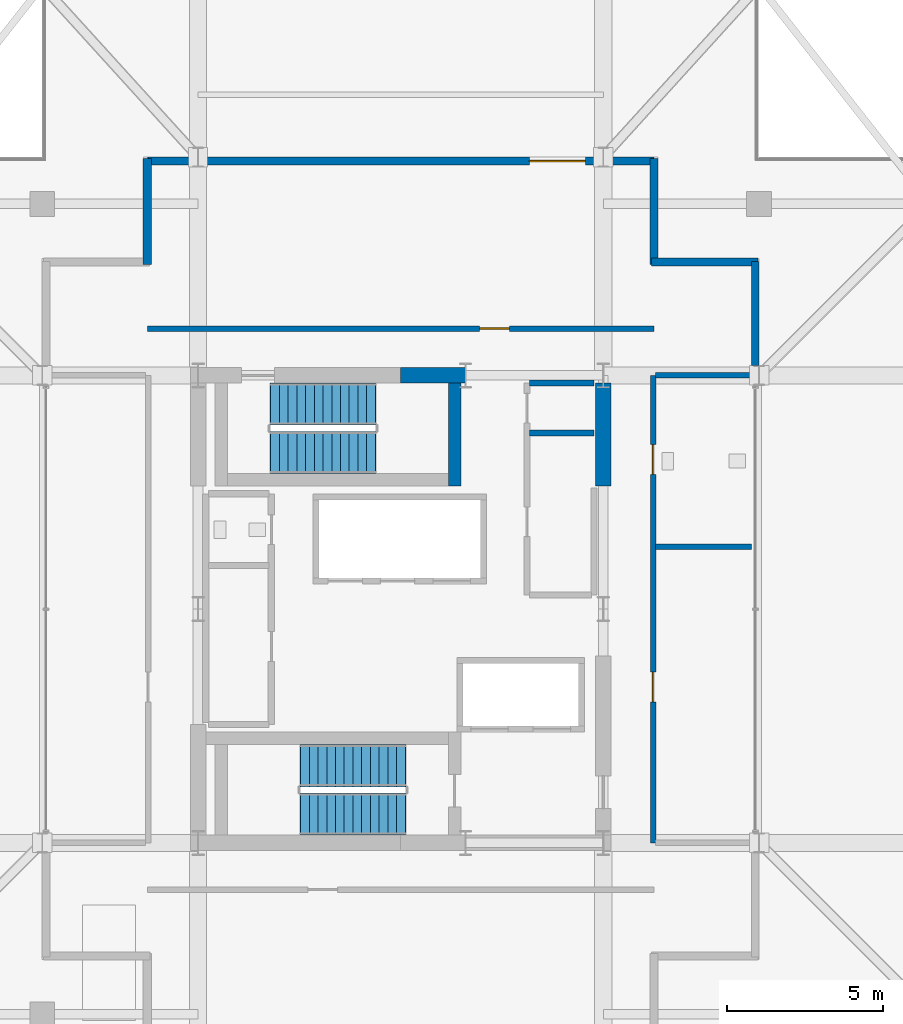
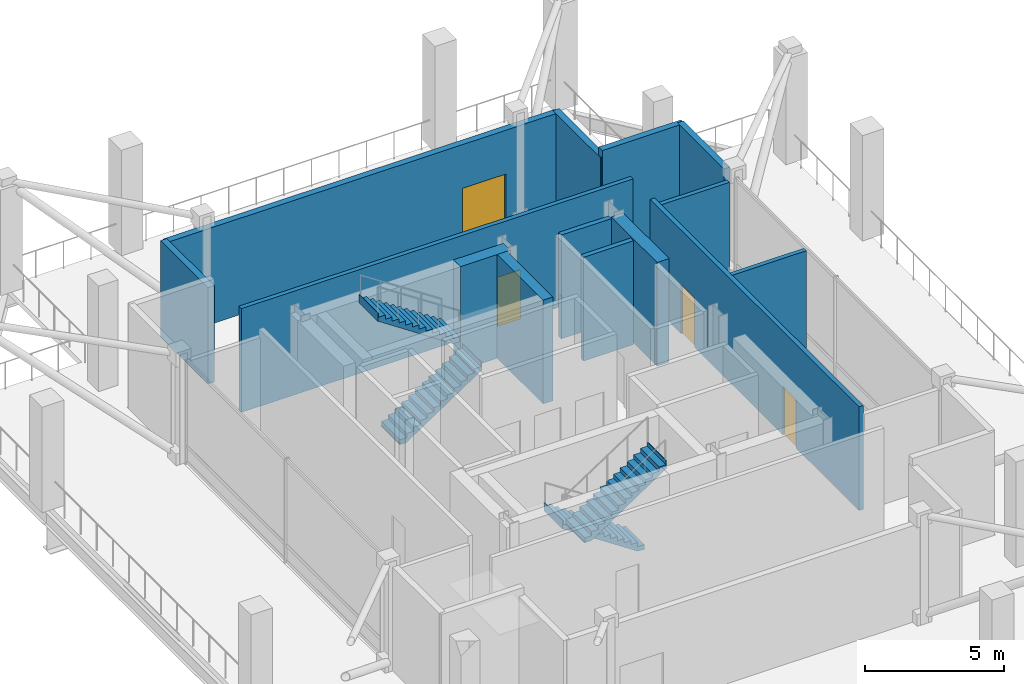
# One storey, part 13 of 17: 14 walls, 4 doors, 4 stair flights, 4 openings, 2 elements without a shape of their own.
"""IFC4 building model written with IfcOpenShell, lengths in metres."""

from ifc_helpers import new_model, si_unit, direction, frame, frame_2d, origin, place, context, subcontext, project, spatial, polyline, rectangle, outline, extrude, material, layer, layer_set, type_object, element, fill, aggregate, save


model = new_model("IFC4")

# Units and contexts
model_context = context("Model", 3, precision=1e-05, world=origin(), true_north=direction((0.0, 1.0)))
body_context = subcontext(model_context, "Body", "Model", "MODEL_VIEW")
ifc_project = project(units=[si_unit("LENGTHUNIT", "METRE"), si_unit("AREAUNIT", "SQUARE_METRE"), si_unit("VOLUMEUNIT", "CUBIC_METRE"), si_unit("PLANEANGLEUNIT", "RADIAN"), si_unit("MASSUNIT", "GRAM", prefix="KILO")], contexts=[model_context])

# Site, building, storey
site_placement = place(None, origin())
site = spatial("IfcSite", under=ifc_project, at=site_placement, CompositionType="ELEMENT")
building_placement = place(site_placement, origin())
building = spatial("IfcBuilding", under=site, at=building_placement, Name="Barlavira Tower and Art Museum", CompositionType="ELEMENT")
storey_placement = place(building_placement, frame((0.0, 0.0, 305.10009765625)))
storey = spatial("IfcBuildingStorey", under=building, at=storey_placement, Name="L80", CompositionType="ELEMENT", Elevation=305.10009765625)

# Walls
ifc_material_1 = material(Name="Concrete C60", Category="concrete")
ifc_layer_1 = layer(ifc_material_1, 0.5, Name="Concrete C60")
ifc_layer_set_1 = layer_set([ifc_layer_1], Name="Concrete C60")
wall_type_1 = type_object("IfcWallType", Name="Core Structural Shear Wall 500 Concrete C60", PredefinedType="SHEAR", material=ifc_layer_set_1)
wall_1_placement = place(storey_placement, frame((0.0, 7.5, 0.0), z_axis=(0.0, 0.0, 1.0), x_axis=(1.0, 0.0, 0.0)))
element("IfcWall", 1, at=wall_1_placement, inside=storey, type_object=wall_type_1, Name="L80 Core Shear Wall CS-EN", PredefinedType="SHEAR", context=body_context, shape_type="SweptSolid", body=[
    extrude(rectangle(XDim=2.080078125, YDim=0.5, at=frame_2d((1.0400390625, 0.0))), origin(), (0.0, 0.0, 1.0), 4.5498046875),
])
wall_2_placement = place(storey_placement, frame((6.5, 3.949951171875, 0.0), z_axis=(0.0, 0.0, 1.0), x_axis=(0.0, 1.0, 0.0)))
element("IfcWall", 2, at=wall_2_placement, inside=storey, type_object=wall_type_1, Name="L80 Core Shear Wall CS-E2", PredefinedType="SHEAR", context=body_context, shape_type="SweptSolid", body=[
    extrude(rectangle(XDim=3.300048828125, YDim=0.5, at=frame_2d((1.64990234375, 0.0))), origin(), (0.0, 0.0, 1.0), 4.5498046875),
])

# Wall, opening, door
ifc_material_2 = material(Name="Architectural white precast concrete C40", Category="concrete")
ifc_layer_2 = layer(ifc_material_2, 0.260009765625, Name="Architectural white precast concrete C40")
ifc_layer_set_2 = layer_set([ifc_layer_2], Name="Architectural white precast concrete C40")
wall_type_2 = type_object("IfcWallType", Name="Crown Architectural White Precast Wall 260 Concrete C40", PredefinedType="SOLIDWALL", material=ifc_layer_set_2)
wall_3_placement = place(storey_placement, frame((8.1298828125, 14.3701171875, 0.0), z_axis=(0.0, 0.0, 1.0), x_axis=(-1.0, 0.0, 0.0)))
wall_3 = element("IfcWall", 3, at=wall_3_placement, inside=storey, type_object=wall_type_2, Name="L80 Observation Lounge North Wall", PredefinedType="SOLIDWALL", context=body_context, shape_type="SweptSolid", body=[
    extrude(rectangle(XDim=16.259765625, YDim=0.260009765625, at=frame_2d((8.1298828125, 0.0))), origin(), (0.0, 0.0, 1.0), 4.218017578125),
])
opening_1_placement = place(wall_3_placement, frame((2.199951171875, 0.0, 0.0)))
opening_1 = element("IfcOpeningElement", 4, at=opening_1_placement, cuts=wall_3, Name="Opening ED-03", PredefinedType="OPENING", context=body_context, shape_type="SweptSolid", body=[
    extrude(rectangle(XDim=1.800048828125, YDim=2.300048828125, at=frame_2d((0.89990234375, 1.14990234375))), frame((0.0, 0.14013671875, 0.0), z_axis=(0.0, -1.0, 0.0), x_axis=(1.0, 0.0, 0.0)), (0.0, 0.0, 1.0), 0.280029296875),
])
ifc_material_3 = material(Name="Pale anodised aluminium", Category="aluminium")
door_type_1 = type_object("IfcDoorType", Name="Terrace and Observation Deck Glazed Door 1800x2300", OperationType="NOTDEFINED", PredefinedType="DOOR", material=ifc_material_3)
door_1_placement = place(opening_1_placement, origin())
door_1 = element("IfcDoor", 5, at=door_1_placement, inside=storey, type_object=door_type_1, Name="L80 North Observation Deck Access Door", OperationType="DOUBLE_DOOR_SINGLE_SWING", OverallHeight=2.300048828125, OverallWidth=1.800048828125, PredefinedType="DOOR", context=body_context, shape_type="SweptSolid", body=[
    extrude(rectangle(XDim=1.800048828125, YDim=2.300048828125, at=frame_2d((0.89990234375, 1.14990234375))), frame((0.0, 0.02490234375, 0.0), z_axis=(0.0, -1.0, 0.0), x_axis=(1.0, 0.0, 0.0)), (0.0, 0.0, 1.0), 0.050048828125),
])
fill(opening_1, door_1)

# Walls
wall_4_placement = place(storey_placement, frame((11.4599609375, 11.1298828125, 0.0), z_axis=(0.0, 0.0, 1.0), x_axis=(-1.0, 0.0, 0.0)))
element("IfcWall", 6, at=wall_4_placement, inside=storey, type_object=wall_type_2, Name="L80 Crown Notch White Precast Wall NE1", PredefinedType="SOLIDWALL", context=body_context, shape_type="SweptSolid", body=[
    extrude(rectangle(XDim=3.409912109375, YDim=0.260009765625, at=frame_2d((1.705078125, 0.0))), origin(), (0.0, 0.0, 1.0), 4.5498046875),
])
for number, where, z_axis, x_axis, name in (
    (7, (8.1298828125, 11.050048828125, 0.0), (0.0, 0.0, 1.0), (0.0, 1.0, 0.0), "L80 Crown Notch White Precast Wall NE2"),
    (8, (-8.1298828125, 14.4599609375, 0.0), (0.0, 0.0, 1.0), (0.0, -1.0, 0.0), "L80 Crown Notch White Precast Wall NW1"),
):
    element("IfcWall", number, at=place(storey_placement, frame(where, z_axis=z_axis, x_axis=x_axis)), inside=storey, type_object=wall_type_2, Name=name, PredefinedType="SOLIDWALL", context=body_context, shape_type="SweptSolid", body=[
        extrude(rectangle(XDim=3.409912109375, YDim=0.260009765625, at=frame_2d((1.705078125, 0.0))), origin(), (0.0, 0.0, 1.0), 4.218017578125),
    ])
ifc_material_4 = material(Name="Autoclaved aerated concrete masonry", Category="masonry")
ifc_layer_3 = layer(ifc_material_4, 0.199951171875, Name="Autoclaved aerated concrete masonry")
ifc_layer_set_3 = layer_set([ifc_layer_3], Name="Autoclaved aerated concrete masonry")
wall_type_3 = type_object("IfcWallType", Name="Fire Compartment and Shaft Wall 200", PredefinedType="SOLIDWALL", material=ifc_layer_set_3)
for number, where, z_axis, x_axis, name in (
    (9, (4.1298828125, 5.64990234375, 0.0), (0.0, 0.0, 1.0), (1.0, 0.0, 0.0), "L80 Partition Wall 15"),
    (10, (4.1298828125, 7.25, 0.0), (0.0, 0.0, 1.0), (1.0, 0.0, 0.0), "L80 Partition Wall 16"),
):
    element("IfcWall", number, at=place(storey_placement, frame(where, z_axis=z_axis, x_axis=x_axis)), inside=storey, type_object=wall_type_3, Name=name, PredefinedType="SOLIDWALL", context=body_context, shape_type="SweptSolid", body=[
        extrude(rectangle(XDim=2.070068359375, YDim=0.199951171875, at=frame_2d((1.03515625, 0.0))), origin(), (0.0, 0.0, 1.0), 4.5498046875),
    ])

# Wall, openings, doors
ifc_material_5 = material(Name="Gypsum acoustic stud partition", Category="gypsum")
ifc_layer_4 = layer(ifc_material_5, 0.179931640625, Name="Gypsum acoustic stud partition")
ifc_layer_set_4 = layer_set([ifc_layer_4], Name="Gypsum acoustic stud partition")
wall_type_4 = type_object("IfcWallType", Name="Inter-Tenancy Party Partition Wall 180", PredefinedType="PARTITIONING", material=ifc_layer_set_4)
wall_5_placement = place(storey_placement, frame((8.10009765625, -7.5, 0.0), z_axis=(0.0, 0.0, 1.0), x_axis=(0.0, 1.0, 0.0)))
wall_5 = element("IfcWall", 11, at=wall_5_placement, inside=storey, type_object=wall_type_4, Name="L80 Partition Wall 6", PredefinedType="PARTITIONING", context=body_context, shape_type="SweptSolid", body=[
    extrude(rectangle(XDim=15.0, YDim=0.179931640625, at=frame_2d((7.5, 0.0))), origin(), (0.0, 0.0, 1.0), 4.5498046875),
])
opening_2_placement = place(wall_5_placement, frame((4.52490234375, 0.0, 0.0)))
opening_2 = element("IfcOpeningElement", 12, at=opening_2_placement, cuts=wall_5, Name="Opening FD-60", PredefinedType="OPENING", context=body_context, shape_type="SweptSolid", body=[
    extrude(rectangle(XDim=0.949951171875, YDim=2.14990234375, at=frame_2d((0.47509765625, 1.074951171875))), frame((0.0, 0.10009765625, 0.0), z_axis=(0.0, -1.0, 0.0), x_axis=(1.0, 0.0, 0.0)), (0.0, 0.0, 1.0), 0.199951171875),
])
opening_3_placement = place(wall_5_placement, frame((11.824951171875, 0.0, 0.0)))
opening_3 = element("IfcOpeningElement", 13, at=opening_3_placement, cuts=wall_5, Name="Opening FD-60", PredefinedType="OPENING", context=body_context, shape_type="SweptSolid", body=[
    extrude(rectangle(XDim=0.949951171875, YDim=2.14990234375, at=frame_2d((0.47509765625, 1.074951171875))), frame((0.0, 0.10009765625, 0.0), z_axis=(0.0, -1.0, 0.0), x_axis=(1.0, 0.0, 0.0)), (0.0, 0.0, 1.0), 0.199951171875),
])
ifc_material_6 = material(Name="Brushed stainless steel", Category="steel")
door_type_2 = type_object("IfcDoorType", Name="Apartment Entrance and Riser Fire Door 950x2150 FD60S", OperationType="NOTDEFINED", PredefinedType="DOOR", material=ifc_material_6)
door_2_placement = place(opening_2_placement, origin())
door_2 = element("IfcDoor", 14, at=door_2_placement, inside=storey, type_object=door_type_2, Name="Restaurant Belvedere Catering Kitchen Door", OperationType="SINGLE_SWING_LEFT", OverallHeight=2.14990234375, OverallWidth=0.949951171875, PredefinedType="DOOR", context=body_context, shape_type="SweptSolid", body=[
    extrude(rectangle(XDim=0.949951171875, YDim=2.14990234375, at=frame_2d((0.47509765625, 1.074951171875))), frame((0.0, 0.02490234375, 0.0), z_axis=(0.0, -1.0, 0.0), x_axis=(1.0, 0.0, 0.0)), (0.0, 0.0, 1.0), 0.050048828125),
])
fill(opening_2, door_2)
door_3_placement = place(opening_3_placement, origin())
door_3 = element("IfcDoor", 15, at=door_3_placement, inside=storey, type_object=door_type_2, Name="Observation Deck Accessible Restroom Door", OperationType="SINGLE_SWING_RIGHT", OverallHeight=2.14990234375, OverallWidth=0.949951171875, PredefinedType="DOOR", context=body_context, shape_type="SweptSolid", body=[
    extrude(rectangle(XDim=0.949951171875, YDim=2.14990234375, at=frame_2d((0.47509765625, 1.074951171875))), frame((0.0, 0.02490234375, 0.0), z_axis=(0.0, -1.0, 0.0), x_axis=(1.0, 0.0, 0.0)), (0.0, 0.0, 1.0), 0.050048828125),
])
fill(opening_3, door_3)

# Walls
wall_6_placement = place(storey_placement, frame((8.179931640625, 2.0, 0.0), z_axis=(0.0, 0.0, 1.0), x_axis=(1.0, 0.0, 0.0)))
element("IfcWall", 16, at=wall_6_placement, inside=storey, type_object=wall_type_4, Name="L80 Partition Wall 13", PredefinedType="PARTITIONING", context=body_context, shape_type="SweptSolid", body=[
    extrude(rectangle(XDim=3.080078125, YDim=0.179931640625, at=frame_2d((1.5400390625, 0.0))), origin(), (0.0, 0.0, 1.0), 4.5498046875),
])
wall_7_placement = place(storey_placement, frame((8.179931640625, 7.5, 0.0), z_axis=(0.0, 0.0, 1.0), x_axis=(1.0, 0.0, 0.0)))
element("IfcWall", 17, at=wall_7_placement, inside=storey, type_object=wall_type_4, Name="L80 Partition Wall 18", PredefinedType="PARTITIONING", context=body_context, shape_type="SweptSolid", body=[
    extrude(rectangle(XDim=3.070068359375, YDim=0.179931640625, at=frame_2d((1.53515625, 0.0))), origin(), (0.0, 0.0, 1.0), 4.218017578125),
])

# Wall, opening, door
wall_8_placement = place(storey_placement, frame((-8.1201171875, 9.0, 0.0), z_axis=(0.0, 0.0, 1.0), x_axis=(1.0, 0.0, 0.0)))
wall_8 = element("IfcWall", 18, at=wall_8_placement, inside=storey, type_object=wall_type_4, Name="L80 Partition Wall 19", PredefinedType="PARTITIONING", context=body_context, shape_type="SweptSolid", body=[
    extrude(rectangle(XDim=16.240234375, YDim=0.179931640625, at=frame_2d((8.1201171875, 0.0))), origin(), (0.0, 0.0, 1.0), 4.5498046875),
])
opening_4_placement = place(wall_8_placement, frame((10.655029296875, 0.0, 0.0)))
opening_4 = element("IfcOpeningElement", 19, at=opening_4_placement, cuts=wall_8, Name="Opening FD-60", PredefinedType="OPENING", context=body_context, shape_type="SweptSolid", body=[
    extrude(rectangle(XDim=0.949951171875, YDim=2.14990234375, at=frame_2d((0.47509765625, 1.074951171875))), frame((0.0, 0.10009765625, 0.0), z_axis=(0.0, -1.0, 0.0), x_axis=(1.0, 0.0, 0.0)), (0.0, 0.0, 1.0), 0.199951171875),
])
door_4_placement = place(opening_4_placement, origin())
door_4 = element("IfcDoor", 20, at=door_4_placement, inside=storey, type_object=door_type_2, Name="North Bay Belvedere Dining Room Door", OperationType="SINGLE_SWING_LEFT", OverallHeight=2.14990234375, OverallWidth=0.949951171875, PredefinedType="DOOR", context=body_context, shape_type="SweptSolid", body=[
    extrude(rectangle(XDim=0.949951171875, YDim=2.14990234375, at=frame_2d((0.47509765625, 1.074951171875))), frame((0.0, 0.02490234375, 0.0), z_axis=(0.0, -1.0, 0.0), x_axis=(1.0, 0.0, 0.0)), (0.0, 0.0, 1.0), 0.050048828125),
])
fill(opening_4, door_4)

# Walls
ifc_material_7 = material(Name="Precast concrete C40", Category="concrete")
ifc_layer_5 = layer(ifc_material_7, 0.25, Name="Precast concrete C40")
ifc_layer_set_5 = layer_set([ifc_layer_5], Name="Precast concrete C40")
wall_type_5 = type_object("IfcWallType", Name="Notched Corner Spandrel Wall 250 Precast Concrete C40", PredefinedType="SOLIDWALL", material=ifc_layer_set_5)
wall_9_placement = place(storey_placement, frame((11.3798828125, 7.8095703125, 0.0), z_axis=(0.0, 0.0, 1.0), x_axis=(0.0, 1.0, 0.0)))
element("IfcWall", 21, at=wall_9_placement, inside=storey, type_object=wall_type_5, Name="L80 Coastal Facade Pier Wall CW7-L80-E-3", PredefinedType="SOLIDWALL", context=body_context, shape_type="SweptSolid", body=[
    extrude(rectangle(XDim=3.345458984375, YDim=0.25, at=frame_2d((1.6728515625, 0.0))), origin(), (0.0, 0.0, 1.0), 4.5498046875),
])
ifc_material_8 = material(Name="Concrete C55", Category="concrete")
ifc_layer_6 = layer(ifc_material_8, 0.39990234375, Name="Concrete C55")
ifc_layer_set_6 = layer_set([ifc_layer_6], Name="Concrete C55")
wall_type_6 = type_object("IfcWallType", Name="Upper Core Shear Wall 400 Concrete C55", PredefinedType="SHEAR", material=ifc_layer_set_6)
wall_10_placement = place(storey_placement, frame((1.72998046875, 3.949951171875, 0.0), z_axis=(0.0, 0.0, 1.0), x_axis=(0.0, 1.0, 0.0)))
element("IfcWall", 22, at=wall_10_placement, inside=storey, type_object=wall_type_6, Name="L80 ST-T2 East Half-Landing Wall", PredefinedType="SHEAR", context=body_context, shape_type="SweptSolid", body=[
    extrude(rectangle(XDim=3.300048828125, YDim=0.39990234375, at=frame_2d((1.64990234375, 0.0))), origin(), (0.0, 0.0, 1.0), 4.5498046875),
])

# Stair, stair flights
ifc_material_9 = material(Name="Concrete C45", Category="concrete")
stair_type_1 = type_object("IfcStairType", Name="Tower North Dog-Leg Exit Stair Assembly Concrete C45", PredefinedType="TWO_QUARTER_TURN_STAIR", material=ifc_material_9)
stair_1_placement = place(storey_placement, origin())
stair_1 = element("IfcStair", 23, at=stair_1_placement, inside=storey, type_object=stair_type_1, Name="L80 Tower North Exit Stair ST-T2", PredefinedType="TWO_QUARTER_TURN_STAIR")
ifc_material_10 = material(Name="Precast concrete C45", Category="concrete")
stair_flight_type_1 = type_object("IfcStairFlightType", Name="Tower North Dog-Leg Exit Stair Precast Flight 1350 Concrete C45", PredefinedType="STRAIGHT", material=ifc_material_10)
stair_flight_1_placement = place(storey_placement, frame((-4.169921875, 5.02490234375, 0.0), z_axis=(0.0, 0.0, 1.0), x_axis=(1.0, 0.0, 0.0)))
stair_flight_1 = element("IfcStairFlight", 24, at=stair_flight_1_placement, type_object=stair_flight_type_1, Name="ST-T2 flight 1", NumberOfRisers=13, NumberOfTreads=12, PredefinedType="STRAIGHT", RiserHeight=0.184615385, TreadLength=0.28, context=body_context, shape_type="SweptSolid", body=[
    extrude(outline(polyline([(-0.02490234375, 0.0), (0.0, 0.0), (0.0, 0.1845703125), (0.280029296875, 0.1845703125), (0.280029296875, 0.369140625), (0.56005859375, 0.369140625), (0.56005859375, 0.553955078125), (0.840087890625, 0.553955078125), (0.840087890625, 0.738525390625), (1.1201171875, 0.738525390625), (1.1201171875, 0.923095703125), (1.39990234375, 0.923095703125), (1.39990234375, 1.107666015625), (1.679931640625, 1.107666015625), (1.679931640625, 1.292236328125), (1.9599609375, 1.292236328125), (1.9599609375, 1.476806640625), (2.239990234375, 1.476806640625), (2.239990234375, 1.66162109375), (2.52001953125, 1.66162109375), (2.52001953125, 1.84619140625), (2.800048828125, 1.84619140625), (2.800048828125, 2.03076171875), (3.080078125, 2.03076171875), (3.080078125, 2.21533203125), (3.360107421875, 2.21533203125), (3.360107421875, 2.39990234375), (3.385009765625, 2.39990234375), (3.385009765625, 2.035888671875), (3.360107421875, 2.035888671875), (0.272216796875, -0.02490234375), (-0.02490234375, -0.02490234375), (-0.02490234375, 0.0)])), frame((0.0, 0.675048828125, 0.0), z_axis=(0.0, -1.0, 0.0), x_axis=(1.0, 0.0, 0.0)), (0.0, 0.0, 1.0), 1.35009765625),
])
stair_flight_2_placement = place(storey_placement, frame((-0.81005859375, 6.574951171875, 2.39990234375), z_axis=(0.0, 0.0, 1.0), x_axis=(-1.0, 0.0, 0.0)))
stair_flight_2 = element("IfcStairFlight", 25, at=stair_flight_2_placement, type_object=stair_flight_type_1, Name="ST-T2 flight 2", NumberOfRisers=13, NumberOfTreads=12, PredefinedType="STRAIGHT", RiserHeight=0.184615385, TreadLength=0.28, context=body_context, shape_type="SweptSolid", body=[
    extrude(outline(polyline([(-0.02490234375, 0.0), (0.0, 0.0), (0.0, 0.1845703125), (0.280029296875, 0.1845703125), (0.280029296875, 0.369140625), (0.56005859375, 0.369140625), (0.56005859375, 0.553955078125), (0.840087890625, 0.553955078125), (0.840087890625, 0.738525390625), (1.1201171875, 0.738525390625), (1.1201171875, 0.923095703125), (1.39990234375, 0.923095703125), (1.39990234375, 1.107666015625), (1.679931640625, 1.107666015625), (1.679931640625, 1.292236328125), (1.9599609375, 1.292236328125), (1.9599609375, 1.476806640625), (2.239990234375, 1.476806640625), (2.239990234375, 1.66162109375), (2.52001953125, 1.66162109375), (2.52001953125, 1.84619140625), (2.800048828125, 1.84619140625), (2.800048828125, 2.03076171875), (3.080078125, 2.03076171875), (3.080078125, 2.21533203125), (3.360107421875, 2.21533203125), (3.360107421875, 2.39990234375), (3.385009765625, 2.39990234375), (3.385009765625, 2.035888671875), (3.360107421875, 2.035888671875), (0.272216796875, -0.02490234375), (-0.02490234375, -0.02490234375), (-0.02490234375, 0.0)])), frame((0.0, 0.675048828125, 0.0), z_axis=(0.0, -1.0, 0.0), x_axis=(1.0, 0.0, 0.0)), (0.0, 0.0, 1.0), 1.35009765625),
])
aggregate(stair_1, [stair_flight_1, stair_flight_2])

stair_type_2 = type_object("IfcStairType", Name="Tower South Dog-Leg Exit Stair Assembly Concrete C45", PredefinedType="TWO_QUARTER_TURN_STAIR", material=ifc_material_9)
stair_2_placement = place(storey_placement, origin())
stair_2 = element("IfcStair", 26, at=stair_2_placement, inside=storey, type_object=stair_type_2, Name="L80 Tower South Exit Stair ST-T1", PredefinedType="TWO_QUARTER_TURN_STAIR")
stair_flight_type_2 = type_object("IfcStairFlightType", Name="Tower South Dog-Leg Exit Stair Precast Flight 1350 Concrete C45", PredefinedType="STRAIGHT", material=ifc_material_10)
stair_flight_3_placement = place(storey_placement, frame((0.14990234375, -5.02490234375, 0.0), z_axis=(0.0, 0.0, 1.0), x_axis=(-1.0, 0.0, 0.0)))
stair_flight_3 = element("IfcStairFlight", 27, at=stair_flight_3_placement, type_object=stair_flight_type_2, Name="ST-T1 flight 1", NumberOfRisers=13, NumberOfTreads=12, PredefinedType="STRAIGHT", RiserHeight=0.184615385, TreadLength=0.28, context=body_context, shape_type="SweptSolid", body=[
    extrude(outline(polyline([(-0.02490234375, 0.0), (0.0, 0.0), (0.0, 0.1845703125), (0.280029296875, 0.1845703125), (0.280029296875, 0.369140625), (0.56005859375, 0.369140625), (0.56005859375, 0.553955078125), (0.840087890625, 0.553955078125), (0.840087890625, 0.738525390625), (1.1201171875, 0.738525390625), (1.1201171875, 0.923095703125), (1.39990234375, 0.923095703125), (1.39990234375, 1.107666015625), (1.679931640625, 1.107666015625), (1.679931640625, 1.292236328125), (1.9599609375, 1.292236328125), (1.9599609375, 1.476806640625), (2.239990234375, 1.476806640625), (2.239990234375, 1.66162109375), (2.52001953125, 1.66162109375), (2.52001953125, 1.84619140625), (2.800048828125, 1.84619140625), (2.800048828125, 2.03076171875), (3.080078125, 2.03076171875), (3.080078125, 2.21533203125), (3.360107421875, 2.21533203125), (3.360107421875, 2.39990234375), (3.385009765625, 2.39990234375), (3.385009765625, 2.035888671875), (3.360107421875, 2.035888671875), (0.272216796875, -0.02490234375), (-0.02490234375, -0.02490234375), (-0.02490234375, 0.0)])), frame((0.0, 0.675048828125, 0.0), z_axis=(0.0, -1.0, 0.0), x_axis=(1.0, 0.0, 0.0)), (0.0, 0.0, 1.0), 1.35009765625),
])
stair_flight_4_placement = place(storey_placement, frame((-3.2099609375, -6.574951171875, 2.39990234375), z_axis=(0.0, 0.0, 1.0), x_axis=(1.0, 0.0, 0.0)))
stair_flight_4 = element("IfcStairFlight", 28, at=stair_flight_4_placement, type_object=stair_flight_type_2, Name="ST-T1 flight 2", NumberOfRisers=13, NumberOfTreads=12, PredefinedType="STRAIGHT", RiserHeight=0.184615385, TreadLength=0.28, context=body_context, shape_type="SweptSolid", body=[
    extrude(outline(polyline([(-0.02490234375, 0.0), (0.0, 0.0), (0.0, 0.1845703125), (0.280029296875, 0.1845703125), (0.280029296875, 0.369140625), (0.56005859375, 0.369140625), (0.56005859375, 0.553955078125), (0.840087890625, 0.553955078125), (0.840087890625, 0.738525390625), (1.1201171875, 0.738525390625), (1.1201171875, 0.923095703125), (1.39990234375, 0.923095703125), (1.39990234375, 1.107666015625), (1.679931640625, 1.107666015625), (1.679931640625, 1.292236328125), (1.9599609375, 1.292236328125), (1.9599609375, 1.476806640625), (2.239990234375, 1.476806640625), (2.239990234375, 1.66162109375), (2.52001953125, 1.66162109375), (2.52001953125, 1.84619140625), (2.800048828125, 1.84619140625), (2.800048828125, 2.03076171875), (3.080078125, 2.03076171875), (3.080078125, 2.21533203125), (3.360107421875, 2.21533203125), (3.360107421875, 2.39990234375), (3.385009765625, 2.39990234375), (3.385009765625, 2.035888671875), (3.360107421875, 2.035888671875), (0.272216796875, -0.02490234375), (-0.02490234375, -0.02490234375), (-0.02490234375, 0.0)])), frame((0.0, 0.675048828125, 0.0), z_axis=(0.0, -1.0, 0.0), x_axis=(1.0, 0.0, 0.0)), (0.0, 0.0, 1.0), 1.35009765625),
])
aggregate(stair_2, [stair_flight_3, stair_flight_4])

save(model, "model.ifc")
